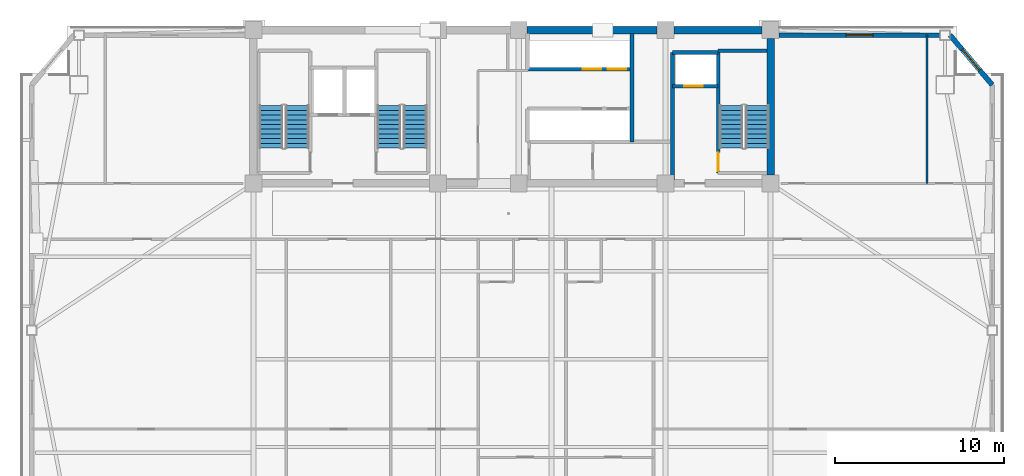
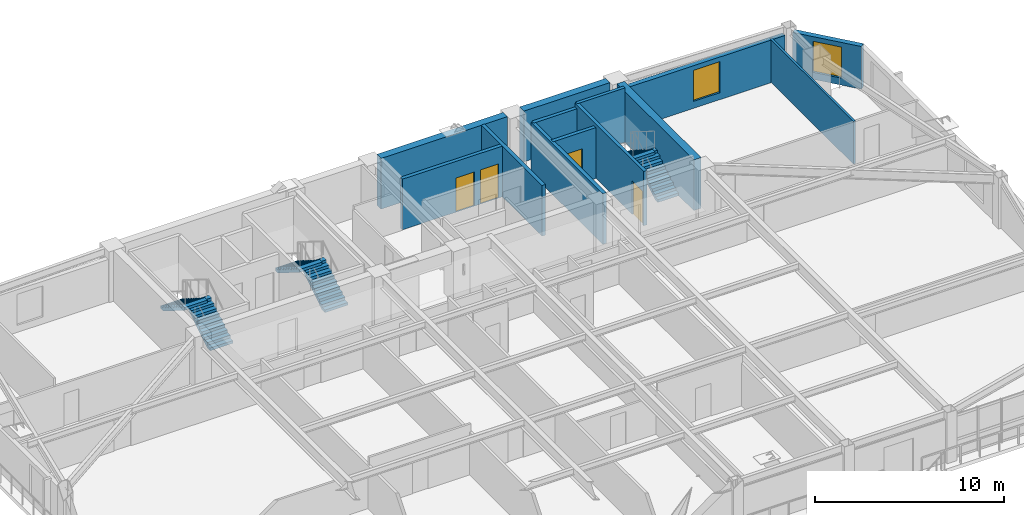
# One storey, part 11 of 17: 13 walls, 6 stair flights, 4 doors, 2 windows, 6 openings, 3 elements without a shape of their own.
"""IFC4 building model written with IfcOpenShell, lengths in metres."""

from ifc_helpers import new_model, si_unit, direction, frame, frame_2d, origin, place, context, subcontext, project, spatial, polyline, rectangle, outline, extrude, source, transform, mapped, material, layer, layer_set, type_object, element, fill, aggregate, save


model = new_model("IFC4")

# Units and contexts
model_context = context("Model", 3, precision=1e-05, world=origin(), true_north=direction((0.0, 1.0)))
body_context = subcontext(model_context, "Body", "Model", "MODEL_VIEW")
ifc_project = project(units=[si_unit("LENGTHUNIT", "METRE"), si_unit("AREAUNIT", "SQUARE_METRE"), si_unit("VOLUMEUNIT", "CUBIC_METRE"), si_unit("PLANEANGLEUNIT", "RADIAN"), si_unit("MASSUNIT", "GRAM", prefix="KILO")], contexts=[model_context])

# Site, building, storey
site_placement = place(None, origin())
site = spatial("IfcSite", under=ifc_project, at=site_placement, CompositionType="ELEMENT")
building_placement = place(site_placement, origin())
building = spatial("IfcBuilding", under=site, at=building_placement, Name="Giltprow Tower", CompositionType="ELEMENT")
storey_placement = place(building_placement, frame((0.0, 0.0, 206.199951171875)))
storey = spatial("IfcBuildingStorey", under=building, at=storey_placement, Name="L52", CompositionType="ELEMENT", Elevation=206.199951171875)

# Wall, opening, window
ifc_material_1 = material(Name="Precast concrete C40", Category="concrete")
ifc_layer_1 = layer(ifc_material_1, 0.300048828125, Name="Precast concrete C40")
ifc_layer_set_1 = layer_set([ifc_layer_1], Name="Precast concrete C40")
wall_type_1 = type_object("IfcWallType", Name="EW-NOTCH-CHAMFER-300", PredefinedType="SOLIDWALL", material=ifc_layer_set_1)
wall_1_placement = place(storey_placement, frame((63.697998046875, 43.300048828125, 0.0), z_axis=(0.0, 0.0, 1.0), x_axis=(-0.646527923623, 0.762890322377, 0.0)))
wall_1 = element("IfcWall", 1, at=wall_1_placement, inside=storey, type_object=wall_type_1, Name="L52 Corner Notch Wall NE", PredefinedType="SOLIDWALL", context=body_context, shape_type="SweptSolid", body=[
    extrude(rectangle(XDim=3.86669921875, YDim=0.300048828125, at=frame_2d((1.933349609375, 0.0))), origin(), (0.0, 0.0, 1.0), 2.75),
])
opening_1_placement = place(wall_1_placement, frame((1.133056640625, 0.0, 0.449951171875)))
opening_1 = element("IfcOpeningElement", 2, at=opening_1_placement, cuts=wall_1, Name="Opening WN17", PredefinedType="OPENING", context=body_context, shape_type="SweptSolid", body=[
    extrude(rectangle(XDim=1.60009765625, YDim=2.0, at=frame_2d((0.800048828125, 1.0))), frame((0.0, 0.159912109375, 0.0), z_axis=(0.0, -1.0, 0.0), x_axis=(1.0, 0.0, 0.0)), (0.0, 0.0, 1.0), 0.320068359375),
])
ifc_material_2 = material(Name="Insulated glass", Category="glass")
window_type = type_object("IfcWindowType", Name="WN-COR-1600x2000", PartitioningType="SINGLE_PANEL", PredefinedType="WINDOW", material=ifc_material_2)
shared_shape_1 = source(origin(), body_context, "Body", "SweptSolid", [
    extrude(rectangle(XDim=1.60009765625, YDim=2.0, at=frame_2d((0.800048828125, 1.0))), frame((0.0, 0.030029296875, 0.0), z_axis=(0.0, -1.0, 0.0), x_axis=(1.0, 0.0, 0.0)), (0.0, 0.0, 1.0), 0.06005859375),
])
window_1_placement = place(opening_1_placement, origin())
window_1 = element("IfcWindow", 3, at=window_1_placement, inside=storey, type_object=window_type, Name="L52 Corner Notch Window NE", OverallHeight=2.0, OverallWidth=1.60009765625, PartitioningType="SINGLE_PANEL", PredefinedType="WINDOW", context=body_context, shape_type="MappedRepresentation", body=[
    mapped(shared_shape_1, transform((0.0, 0.0, 0.0), x_axis=(1.0, 0.0, 0.0), y_axis=(0.0, 1.0, 0.0), z_axis=(0.0, 0.0, 1.0), scale=1.0)),
])
fill(opening_1, window_1)

ifc_layer_2 = layer(ifc_material_1, 0.280029296875, Name="Precast concrete C40")
ifc_layer_set_2 = layer_set([ifc_layer_2], Name="Precast concrete C40")
wall_type_2 = type_object("IfcWallType", Name="EW-TOW-BRONZE-280", PredefinedType="SOLIDWALL", material=ifc_layer_set_2)
wall_2_placement = place(storey_placement, frame((51.050048828125, 46.25, 0.0), z_axis=(0.0, 0.0, 1.0), x_axis=(1.0, 0.0, 0.0)))
wall_2 = element("IfcWall", 4, at=wall_2_placement, inside=storey, type_object=wall_type_2, Name="L52 North-East Wing Wall", PredefinedType="SOLIDWALL", context=body_context, shape_type="SweptSolid", body=[
    extrude(rectangle(XDim=9.5478515625, YDim=0.280029296875, at=frame_2d((4.77392578125, 0.0))), origin(), (0.0, 0.0, 1.0), 2.75),
])
opening_2_placement = place(wall_2_placement, frame((3.97412109375, 0.0, 0.449951171875)))
opening_2 = element("IfcOpeningElement", 5, at=opening_2_placement, cuts=wall_2, Name="Opening WN17", PredefinedType="OPENING", context=body_context, shape_type="SweptSolid", body=[
    extrude(rectangle(XDim=1.60009765625, YDim=2.0, at=frame_2d((0.800048828125, 1.0))), frame((0.0, 0.14990234375, 0.0), z_axis=(0.0, -1.0, 0.0), x_axis=(1.0, 0.0, 0.0)), (0.0, 0.0, 1.0), 0.300048828125),
])
window_2_placement = place(opening_2_placement, origin())
window_2 = element("IfcWindow", 6, at=window_2_placement, inside=storey, type_object=window_type, Name="L52 North-East Window", OverallHeight=2.0, OverallWidth=1.60009765625, PartitioningType="SINGLE_PANEL", PredefinedType="WINDOW", context=body_context, shape_type="MappedRepresentation", body=[
    mapped(shared_shape_1, transform((0.0, 0.0, 0.0), x_axis=(1.0, 0.0, 0.0), y_axis=(0.0, 1.0, 0.0), z_axis=(0.0, 0.0, 1.0), scale=1.0)),
])
fill(opening_2, window_2)

# Wall, opening, door
ifc_material_3 = material(Name="Concrete C40", Category="concrete")
ifc_layer_3 = layer(ifc_material_3, 0.219970703125, Name="Concrete C40")
ifc_layer_set_3 = layer_set([ifc_layer_3], Name="Concrete C40")
wall_type_3 = type_object("IfcWallType", Name="IW-SHAFT-220", PredefinedType="SOLIDWALL", material=ifc_layer_set_3)
wall_3_placement = place(storey_placement, frame((44.719970703125, 43.219970703125, 0.0), z_axis=(0.0, 0.0, 1.0), x_axis=(1.0, 0.0, 0.0)))
wall_3 = element("IfcWall", 7, at=wall_3_placement, inside=storey, type_object=wall_type_3, Name="L52 FFL2 Front Shaft Wall", PredefinedType="SOLIDWALL", context=body_context, shape_type="SweptSolid", body=[
    extrude(rectangle(XDim=2.719970703125, YDim=0.219970703125, at=frame_2d((1.35986328125, 0.0))), origin(), (0.0, 0.0, 1.0), 3.27001953125),
])
opening_3_placement = place(wall_3_placement, frame((0.699951171875, 0.0, 0.0)))
opening_3 = element("IfcOpeningElement", 8, at=opening_3_placement, cuts=wall_3, Name="Opening LD-11", PredefinedType="OPENING", context=body_context, shape_type="SweptSolid", body=[
    extrude(rectangle(XDim=1.10009765625, YDim=2.199951171875, at=frame_2d((0.550048828125, 1.10009765625))), frame((0.0, 0.119873046875, 0.0), z_axis=(0.0, -1.0, 0.0), x_axis=(1.0, 0.0, 0.0)), (0.0, 0.0, 1.0), 0.239990234375),
])
ifc_material_4 = material(Name="Stainless steel", Category="steel")
door_type_1 = type_object("IfcDoorType", Name="DR-LIFT-LD1100", OperationType="SLIDING_TO_LEFT", PredefinedType="DOOR", material=ifc_material_4)
shared_shape_2 = source(origin(), body_context, "Body", "SweptSolid", [
    extrude(rectangle(XDim=1.10009765625, YDim=2.199951171875, at=frame_2d((0.550048828125, 1.10009765625))), frame((0.0, 0.02490234375, 0.0), z_axis=(0.0, -1.0, 0.0), x_axis=(1.0, 0.0, 0.0)), (0.0, 0.0, 1.0), 0.050048828125),
])
door_1_placement = place(opening_3_placement, origin())
door_1 = element("IfcDoor", 9, at=door_1_placement, inside=storey, type_object=door_type_1, Name="L52 FFL2 Landing Door", OperationType="SLIDING_TO_LEFT", OverallHeight=2.199951171875, OverallWidth=1.10009765625, PredefinedType="DOOR", context=body_context, shape_type="MappedRepresentation", body=[
    mapped(shared_shape_2, transform((0.0, 0.0, 0.0), x_axis=(1.0, 0.0, 0.0), y_axis=(0.0, 1.0, 0.0), z_axis=(0.0, 0.0, 1.0), scale=1.0)),
])
fill(opening_3, door_1)

# Walls
wall_4_placement = place(storey_placement, frame((44.719970703125, 45.219970703125, 0.0), z_axis=(0.0, 0.0, 1.0), x_axis=(1.0, 0.0, 0.0)))
element("IfcWall", 10, at=wall_4_placement, inside=storey, type_object=wall_type_3, Name="L52 FFL2 Back Shaft Wall", PredefinedType="SOLIDWALL", context=body_context, shape_type="SweptSolid", body=[
    extrude(rectangle(XDim=2.719970703125, YDim=0.219970703125, at=frame_2d((1.35986328125, 0.0))), origin(), (0.0, 0.0, 1.0), 3.27001953125),
])
wall_5_placement = place(storey_placement, frame((44.719970703125, 37.655029296875, 0.0), z_axis=(0.0, 0.0, 1.0), x_axis=(0.0, 1.0, 0.0)))
element("IfcWall", 11, at=wall_5_placement, inside=storey, type_object=wall_type_3, Name="L52 East Firefighting Lobby West Wall", PredefinedType="SOLIDWALL", context=body_context, shape_type="SweptSolid", body=[
    extrude(rectangle(XDim=7.56494140625, YDim=0.219970703125, at=frame_2d((3.782470703125, 0.0))), origin(), (0.0, 0.0, 1.0), 3.27001953125),
])

# Wall, openings, doors
wall_6_placement = place(storey_placement, frame((36.1201171875, 44.219970703125, 0.0), z_axis=(0.0, 0.0, 1.0), x_axis=(1.0, 0.0, 0.0)))
wall_6 = element("IfcWall", 12, at=wall_6_placement, inside=storey, type_object=wall_type_3, Name="L52 Mid-Rise Lift Shaft Front Wall N", PredefinedType="SOLIDWALL", context=body_context, shape_type="SweptSolid", body=[
    extrude(rectangle(XDim=6.199951171875, YDim=0.219970703125, at=frame_2d((3.10009765625, 0.0))), origin(), (0.0, 0.0, 1.0), 3.27001953125),
])
opening_4_placement = place(wall_6_placement, frame((3.280029296875, 0.0, 0.0)))
opening_4 = element("IfcOpeningElement", 13, at=opening_4_placement, cuts=wall_6, Name="Opening LD-11", PredefinedType="OPENING", context=body_context, shape_type="SweptSolid", body=[
    extrude(rectangle(XDim=1.10009765625, YDim=2.199951171875, at=frame_2d((0.550048828125, 1.10009765625))), frame((0.0, 0.119873046875, 0.0), z_axis=(0.0, -1.0, 0.0), x_axis=(1.0, 0.0, 0.0)), (0.0, 0.0, 1.0), 0.239990234375),
])
opening_5_placement = place(wall_6_placement, frame((4.77001953125, 0.0, 0.0)))
opening_5 = element("IfcOpeningElement", 14, at=opening_5_placement, cuts=wall_6, Name="Opening LD-11", PredefinedType="OPENING", context=body_context, shape_type="SweptSolid", body=[
    extrude(rectangle(XDim=1.10009765625, YDim=2.199951171875, at=frame_2d((0.550048828125, 1.10009765625))), frame((0.0, 0.119873046875, 0.0), z_axis=(0.0, -1.0, 0.0), x_axis=(1.0, 0.0, 0.0)), (0.0, 0.0, 1.0), 0.239990234375),
])
door_2_placement = place(opening_4_placement, origin())
door_2 = element("IfcDoor", 15, at=door_2_placement, inside=storey, type_object=door_type_1, Name="L52 PL-M1 Landing Door", OperationType="SLIDING_TO_LEFT", OverallHeight=2.199951171875, OverallWidth=1.10009765625, PredefinedType="DOOR", context=body_context, shape_type="MappedRepresentation", body=[
    mapped(shared_shape_2, transform((0.0, 0.0, 0.0), x_axis=(1.0, 0.0, 0.0), y_axis=(0.0, 1.0, 0.0), z_axis=(0.0, 0.0, 1.0), scale=1.0)),
])
fill(opening_4, door_2)
door_3_placement = place(opening_5_placement, origin())
door_3 = element("IfcDoor", 16, at=door_3_placement, inside=storey, type_object=door_type_1, Name="L52 PL-M2 Landing Door", OperationType="SLIDING_TO_LEFT", OverallHeight=2.199951171875, OverallWidth=1.10009765625, PredefinedType="DOOR", context=body_context, shape_type="MappedRepresentation", body=[
    mapped(shared_shape_2, transform((0.0, 0.0, 0.0), x_axis=(1.0, 0.0, 0.0), y_axis=(0.0, 1.0, 0.0), z_axis=(0.0, 0.0, 1.0), scale=1.0)),
])
fill(opening_5, door_3)

# Wall
wall_7_placement = place(storey_placement, frame((42.320068359375, 39.919921875, 0.0), z_axis=(0.0, 0.0, 1.0), x_axis=(0.0, 1.0, 0.0)))
element("IfcWall", 17, at=wall_7_placement, inside=storey, type_object=wall_type_3, Name="L52 Mid-Rise Lift Bank East Closure", PredefinedType="SOLIDWALL", context=body_context, shape_type="SweptSolid", body=[
    extrude(rectangle(XDim=6.425048828125, YDim=0.219970703125, at=frame_2d((3.21240234375, 0.0))), origin(), (0.0, 0.0, 1.0), 3.27001953125),
])

# Wall, opening, door
ifc_layer_4 = layer(ifc_material_3, 0.199951171875, Name="Concrete C40")
ifc_layer_set_4 = layer_set([ifc_layer_4], Name="Concrete C40")
wall_type_4 = type_object("IfcWallType", Name="IW-STAIR-200", PredefinedType="SOLIDWALL", material=ifc_layer_set_4)
wall_8_placement = place(storey_placement, frame((47.43994140625, 38.070068359375, 0.0), z_axis=(0.0, 0.0, 1.0), x_axis=(0.0, 1.0, 0.0)))
wall_8 = element("IfcWall", 18, at=wall_8_placement, inside=storey, type_object=wall_type_4, Name="L52 Stair ST-3 West Bearing Wall", PredefinedType="SOLIDWALL", context=body_context, shape_type="SweptSolid", body=[
    extrude(rectangle(XDim=7.25, YDim=0.199951171875, at=frame_2d((3.625, 0.0))), origin(), (0.0, 0.0, 1.0), 3.5),
])
opening_6_placement = place(wall_8_placement, frame((0.110107421875, 0.0, 0.0)))
opening_6 = element("IfcOpeningElement", 19, at=opening_6_placement, cuts=wall_8, Name="Opening ID33", PredefinedType="OPENING", context=body_context, shape_type="SweptSolid", body=[
    extrude(rectangle(XDim=1.10009765625, YDim=2.14990234375, at=frame_2d((0.550048828125, 1.074951171875))), frame((0.0, 0.10986328125, 0.0), z_axis=(0.0, -1.0, 0.0), x_axis=(1.0, 0.0, 0.0)), (0.0, 0.0, 1.0), 0.219970703125),
])
ifc_material_5 = material(Name="Steel fire leaf", Category="steel")
door_type_2 = type_object("IfcDoorType", Name="DR-STAIR-1100", OperationType="SINGLE_SWING_LEFT", PredefinedType="DOOR", material=ifc_material_5)
shared_shape_3 = source(origin(), body_context, "Body", "SweptSolid", [
    extrude(rectangle(XDim=1.10009765625, YDim=2.14990234375, at=frame_2d((0.550048828125, 1.074951171875))), frame((0.0, 0.02490234375, 0.0), z_axis=(0.0, -1.0, 0.0), x_axis=(1.0, 0.0, 0.0)), (0.0, 0.0, 1.0), 0.050048828125),
])
door_4_placement = place(opening_6_placement, origin())
door_4 = element("IfcDoor", 20, at=door_4_placement, inside=storey, type_object=door_type_2, Name="L52 Stair ST-3 Fire Door", OperationType="SINGLE_SWING_LEFT", OverallHeight=2.14990234375, OverallWidth=1.10009765625, PredefinedType="DOOR", context=body_context, shape_type="MappedRepresentation", body=[
    mapped(shared_shape_3, transform((0.0, 0.0, 0.0), x_axis=(1.0, 0.0, 0.0), y_axis=(0.0, 1.0, 0.0), z_axis=(0.0, 0.0, 1.0), scale=1.0)),
])
fill(opening_6, door_4)

# Walls
wall_9_placement = place(storey_placement, frame((47.43994140625, 45.320068359375, 0.0), z_axis=(0.0, 0.0, 1.0), x_axis=(1.0, 0.0, 0.0)))
element("IfcWall", 21, at=wall_9_placement, inside=storey, type_object=wall_type_4, Name="L52 Stair ST-3 North Bearing Wall", PredefinedType="SOLIDWALL", context=body_context, shape_type="SweptSolid", body=[
    extrude(rectangle(XDim=2.905029296875, YDim=0.199951171875, at=frame_2d((1.45263671875, 0.0))), origin(), (0.0, 0.0, 1.0), 3.5),
])
ifc_material_6 = material(Name="Concrete C30", Category="concrete")
ifc_layer_5 = layer(ifc_material_6, 0.1298828125, Name="Concrete C30")
ifc_layer_set_5 = layer_set([ifc_layer_5], Name="Concrete C30")
wall_type_5 = type_object("IfcWallType", Name="IW-WET-130", PredefinedType="PARTITIONING", material=ifc_layer_set_5)
wall_10_placement = place(storey_placement, frame((59.823974609375, 37.449951171875, 0.0), z_axis=(0.0, 0.0, 1.0), x_axis=(0.0, 1.0, 0.0)))
element("IfcWall", 22, at=wall_10_placement, inside=storey, type_object=wall_type_5, Name="L52 NE Wing Divider", PredefinedType="PARTITIONING", context=body_context, shape_type="SweptSolid", body=[
    extrude(rectangle(XDim=8.800048828125, YDim=0.1298828125, at=frame_2d((4.39990234375, 0.0))), origin(), (0.0, 0.0, 1.0), 2.755126953125),
])
ifc_material_7 = material(Name="Concrete C50", Category="concrete")
ifc_layer_6 = layer(ifc_material_7, 0.449951171875, Name="Concrete C50")
ifc_layer_set_6 = layer_set([ifc_layer_6], Name="Concrete C50")
wall_type_6 = type_object("IfcWallType", Name="SW-EXT-450-C50", PredefinedType="SHEAR", material=ifc_layer_set_6)
wall_11_placement = place(storey_placement, frame((36.10009765625, 46.550048828125, 0.0), z_axis=(0.0, 0.0, 1.0), x_axis=(1.0, 0.0, 0.0)))
element("IfcWall", 23, at=wall_11_placement, inside=storey, type_object=wall_type_6, Name="L52 North Rear Core Shear Wall 3", PredefinedType="SHEAR", context=body_context, shape_type="SweptSolid", body=[
    extrude(rectangle(XDim=7.699951171875, YDim=0.449951171875, at=frame_2d((3.85009765625, 0.0))), origin(), (0.0, 0.0, 1.0), 3.27001953125),
])
wall_12_placement = place(storey_placement, frame((44.800048828125, 46.550048828125, 0.0), z_axis=(0.0, 0.0, 1.0), x_axis=(1.0, 0.0, 0.0)))
element("IfcWall", 24, at=wall_12_placement, inside=storey, type_object=wall_type_6, Name="L52 North Rear Core Shear Wall 4", PredefinedType="SHEAR", context=body_context, shape_type="SweptSolid", body=[
    extrude(rectangle(XDim=5.25, YDim=0.449951171875, at=frame_2d((2.625, 0.0))), origin(), (0.0, 0.0, 1.0), 3.27001953125),
])
ifc_layer_7 = layer(ifc_material_7, 0.449951171875, Name="Concrete C50")
ifc_layer_set_7 = layer_set([ifc_layer_7], Name="Concrete C50")
wall_type_7 = type_object("IfcWallType", Name="SW-INT-450-C50", PredefinedType="SHEAR", material=ifc_layer_set_7)
wall_13_placement = place(storey_placement, frame((50.550048828125, 37.949951171875, 0.0), z_axis=(0.0, 0.0, 1.0), x_axis=(0.0, 1.0, 0.0)))
element("IfcWall", 25, at=wall_13_placement, inside=storey, type_object=wall_type_7, Name="L52 E Rear Core Shear Wall", PredefinedType="SHEAR", context=body_context, shape_type="SweptSolid", body=[
    extrude(rectangle(XDim=8.10009765625, YDim=0.449951171875, at=frame_2d((4.050048828125, 0.0))), origin(), (0.0, 0.0, 1.0), 3.27001953125),
])

# Stair, stair flights
stair_type_1 = type_object("IfcStairType", Name="STR-ST-1", PredefinedType="HALF_TURN_STAIR", material=ifc_material_3)
stair_1_placement = place(storey_placement, origin())
stair_1 = element("IfcStair", 26, at=stair_1_placement, inside=storey, type_object=stair_type_1, Name="L52 Core Exit Stair ST-1", PredefinedType="HALF_TURN_STAIR")
stair_flight_type_1 = type_object("IfcStairFlightType", Name="SFL-ST-1", PredefinedType="STRAIGHT", material=ifc_material_3)
stair_flight_1_placement = place(storey_placement, frame((22.4599609375, 39.550048828125, 0.0), z_axis=(0.0, 0.0, 1.0), x_axis=(0.0, 1.0, 0.0)))
stair_flight_1 = element("IfcStairFlight", 27, at=stair_flight_1_placement, type_object=stair_flight_type_1, Name="ST-1 flight 1", NumberOfRisers=10, NumberOfTreads=9, PredefinedType="STRAIGHT", RiserHeight=0.175, TreadLength=0.28, context=body_context, shape_type="SweptSolid", body=[
    extrude(outline(polyline([(0.0, 0.0), (0.0, 0.175048828125), (0.280029296875, 0.175048828125), (0.280029296875, 0.35009765625), (0.56005859375, 0.35009765625), (0.56005859375, 0.52490234375), (0.840087890625, 0.52490234375), (0.840087890625, 0.699951171875), (1.1201171875, 0.699951171875), (1.1201171875, 0.875), (1.39990234375, 0.875), (1.39990234375, 1.050048828125), (1.679931640625, 1.050048828125), (1.679931640625, 1.22509765625), (1.9599609375, 1.22509765625), (1.9599609375, 1.39990234375), (2.239990234375, 1.39990234375), (2.239990234375, 1.574951171875), (2.52001953125, 1.574951171875), (2.52001953125, 1.75), (2.52001953125, 1.398193359375), (0.28271484375, 0.0), (0.0, 0.0)])), frame((0.0, 0.699951171875, 0.0), z_axis=(0.0, -1.0, 0.0), x_axis=(1.0, 0.0, 0.0)), (0.0, 0.0, 1.0), 1.39990234375),
])
stair_flight_2_placement = place(storey_placement, frame((20.89990234375, 42.070068359375, 1.75), z_axis=(0.0, 0.0, 1.0), x_axis=(0.0, -1.0, 0.0)))
stair_flight_2 = element("IfcStairFlight", 28, at=stair_flight_2_placement, type_object=stair_flight_type_1, Name="ST-1 flight 2", NumberOfRisers=10, NumberOfTreads=9, PredefinedType="STRAIGHT", RiserHeight=0.175, TreadLength=0.28, context=body_context, shape_type="SweptSolid", body=[
    extrude(outline(polyline([(0.0, 0.0), (0.0, 0.175048828125), (0.280029296875, 0.175048828125), (0.280029296875, 0.35009765625), (0.56005859375, 0.35009765625), (0.56005859375, 0.52490234375), (0.840087890625, 0.52490234375), (0.840087890625, 0.699951171875), (1.1201171875, 0.699951171875), (1.1201171875, 0.875), (1.39990234375, 0.875), (1.39990234375, 1.050048828125), (1.679931640625, 1.050048828125), (1.679931640625, 1.22509765625), (1.9599609375, 1.22509765625), (1.9599609375, 1.39990234375), (2.239990234375, 1.39990234375), (2.239990234375, 1.574951171875), (2.52001953125, 1.574951171875), (2.52001953125, 1.75), (2.52001953125, 1.398193359375), (0.28271484375, 0.0), (0.0, 0.0)])), frame((0.0, 0.699951171875, 0.0), z_axis=(0.0, -1.0, 0.0), x_axis=(1.0, 0.0, 0.0)), (0.0, 0.0, 1.0), 1.39990234375),
])
aggregate(stair_1, [stair_flight_1, stair_flight_2])

stair_type_2 = type_object("IfcStairType", Name="STR-ST-2", PredefinedType="HALF_TURN_STAIR", material=ifc_material_3)
stair_2_placement = place(storey_placement, origin())
stair_2 = element("IfcStair", 29, at=stair_2_placement, inside=storey, type_object=stair_type_2, Name="L52 Core Exit Stair ST-2", PredefinedType="HALF_TURN_STAIR")
stair_flight_type_2 = type_object("IfcStairFlightType", Name="SFL-ST-2", PredefinedType="STRAIGHT", material=ifc_material_3)
stair_flight_3_placement = place(storey_placement, frame((29.4599609375, 39.550048828125, 0.0), z_axis=(0.0, 0.0, 1.0), x_axis=(0.0, 1.0, 0.0)))
stair_flight_3 = element("IfcStairFlight", 30, at=stair_flight_3_placement, type_object=stair_flight_type_2, Name="ST-2 flight 1", NumberOfRisers=10, NumberOfTreads=9, PredefinedType="STRAIGHT", RiserHeight=0.175, TreadLength=0.28, context=body_context, shape_type="SweptSolid", body=[
    extrude(outline(polyline([(0.0, 0.0), (0.0, 0.175048828125), (0.280029296875, 0.175048828125), (0.280029296875, 0.35009765625), (0.56005859375, 0.35009765625), (0.56005859375, 0.52490234375), (0.840087890625, 0.52490234375), (0.840087890625, 0.699951171875), (1.1201171875, 0.699951171875), (1.1201171875, 0.875), (1.39990234375, 0.875), (1.39990234375, 1.050048828125), (1.679931640625, 1.050048828125), (1.679931640625, 1.22509765625), (1.9599609375, 1.22509765625), (1.9599609375, 1.39990234375), (2.239990234375, 1.39990234375), (2.239990234375, 1.574951171875), (2.52001953125, 1.574951171875), (2.52001953125, 1.75), (2.52001953125, 1.398193359375), (0.28271484375, 0.0), (0.0, 0.0)])), frame((0.0, 0.699951171875, 0.0), z_axis=(0.0, -1.0, 0.0), x_axis=(1.0, 0.0, 0.0)), (0.0, 0.0, 1.0), 1.39990234375),
])
stair_flight_4_placement = place(storey_placement, frame((27.89990234375, 42.070068359375, 1.75), z_axis=(0.0, 0.0, 1.0), x_axis=(0.0, -1.0, 0.0)))
stair_flight_4 = element("IfcStairFlight", 31, at=stair_flight_4_placement, type_object=stair_flight_type_2, Name="ST-2 flight 2", NumberOfRisers=10, NumberOfTreads=9, PredefinedType="STRAIGHT", RiserHeight=0.175, TreadLength=0.28, context=body_context, shape_type="SweptSolid", body=[
    extrude(outline(polyline([(0.0, 0.0), (0.0, 0.175048828125), (0.280029296875, 0.175048828125), (0.280029296875, 0.35009765625), (0.56005859375, 0.35009765625), (0.56005859375, 0.52490234375), (0.840087890625, 0.52490234375), (0.840087890625, 0.699951171875), (1.1201171875, 0.699951171875), (1.1201171875, 0.875), (1.39990234375, 0.875), (1.39990234375, 1.050048828125), (1.679931640625, 1.050048828125), (1.679931640625, 1.22509765625), (1.9599609375, 1.22509765625), (1.9599609375, 1.39990234375), (2.239990234375, 1.39990234375), (2.239990234375, 1.574951171875), (2.52001953125, 1.574951171875), (2.52001953125, 1.75), (2.52001953125, 1.398193359375), (0.28271484375, 0.0), (0.0, 0.0)])), frame((0.0, 0.699951171875, 0.0), z_axis=(0.0, -1.0, 0.0), x_axis=(1.0, 0.0, 0.0)), (0.0, 0.0, 1.0), 1.39990234375),
])
aggregate(stair_2, [stair_flight_3, stair_flight_4])

stair_type_3 = type_object("IfcStairType", Name="STR-ST-3", PredefinedType="HALF_TURN_STAIR", material=ifc_material_3)
stair_3_placement = place(storey_placement, origin())
stair_3 = element("IfcStair", 32, at=stair_3_placement, inside=storey, type_object=stair_type_3, Name="L52 Core Exit Stair ST-3", PredefinedType="HALF_TURN_STAIR")
stair_flight_type_3 = type_object("IfcStairFlightType", Name="SFL-ST-3", PredefinedType="STRAIGHT", material=ifc_material_3)
stair_flight_5_placement = place(storey_placement, frame((49.760009765625, 39.550048828125, 0.0), z_axis=(0.0, 0.0, 1.0), x_axis=(0.0, 1.0, 0.0)))
stair_flight_5 = element("IfcStairFlight", 33, at=stair_flight_5_placement, type_object=stair_flight_type_3, Name="ST-3 flight 1", NumberOfRisers=10, NumberOfTreads=9, PredefinedType="STRAIGHT", RiserHeight=0.175, TreadLength=0.28, context=body_context, shape_type="SweptSolid", body=[
    extrude(outline(polyline([(0.0, 0.0), (0.0, 0.175048828125), (0.280029296875, 0.175048828125), (0.280029296875, 0.35009765625), (0.56005859375, 0.35009765625), (0.56005859375, 0.52490234375), (0.840087890625, 0.52490234375), (0.840087890625, 0.699951171875), (1.1201171875, 0.699951171875), (1.1201171875, 0.875), (1.39990234375, 0.875), (1.39990234375, 1.050048828125), (1.679931640625, 1.050048828125), (1.679931640625, 1.22509765625), (1.9599609375, 1.22509765625), (1.9599609375, 1.39990234375), (2.239990234375, 1.39990234375), (2.239990234375, 1.574951171875), (2.52001953125, 1.574951171875), (2.52001953125, 1.75), (2.52001953125, 1.398193359375), (0.28271484375, 0.0), (0.0, 0.0)])), frame((0.0, 0.699951171875, 0.0), z_axis=(0.0, -1.0, 0.0), x_axis=(1.0, 0.0, 0.0)), (0.0, 0.0, 1.0), 1.39990234375),
])
stair_flight_6_placement = place(storey_placement, frame((48.199951171875, 42.070068359375, 1.75), z_axis=(0.0, 0.0, 1.0), x_axis=(0.0, -1.0, 0.0)))
stair_flight_6 = element("IfcStairFlight", 34, at=stair_flight_6_placement, type_object=stair_flight_type_3, Name="ST-3 flight 2", NumberOfRisers=10, NumberOfTreads=9, PredefinedType="STRAIGHT", RiserHeight=0.175, TreadLength=0.28, context=body_context, shape_type="SweptSolid", body=[
    extrude(outline(polyline([(0.0, 0.0), (0.0, 0.175048828125), (0.280029296875, 0.175048828125), (0.280029296875, 0.35009765625), (0.56005859375, 0.35009765625), (0.56005859375, 0.52490234375), (0.840087890625, 0.52490234375), (0.840087890625, 0.699951171875), (1.1201171875, 0.699951171875), (1.1201171875, 0.875), (1.39990234375, 0.875), (1.39990234375, 1.050048828125), (1.679931640625, 1.050048828125), (1.679931640625, 1.22509765625), (1.9599609375, 1.22509765625), (1.9599609375, 1.39990234375), (2.239990234375, 1.39990234375), (2.239990234375, 1.574951171875), (2.52001953125, 1.574951171875), (2.52001953125, 1.75), (2.52001953125, 1.398193359375), (0.28271484375, 0.0), (0.0, 0.0)])), frame((0.0, 0.699951171875, 0.0), z_axis=(0.0, -1.0, 0.0), x_axis=(1.0, 0.0, 0.0)), (0.0, 0.0, 1.0), 1.39990234375),
])
aggregate(stair_3, [stair_flight_5, stair_flight_6])

save(model, "model.ifc")
